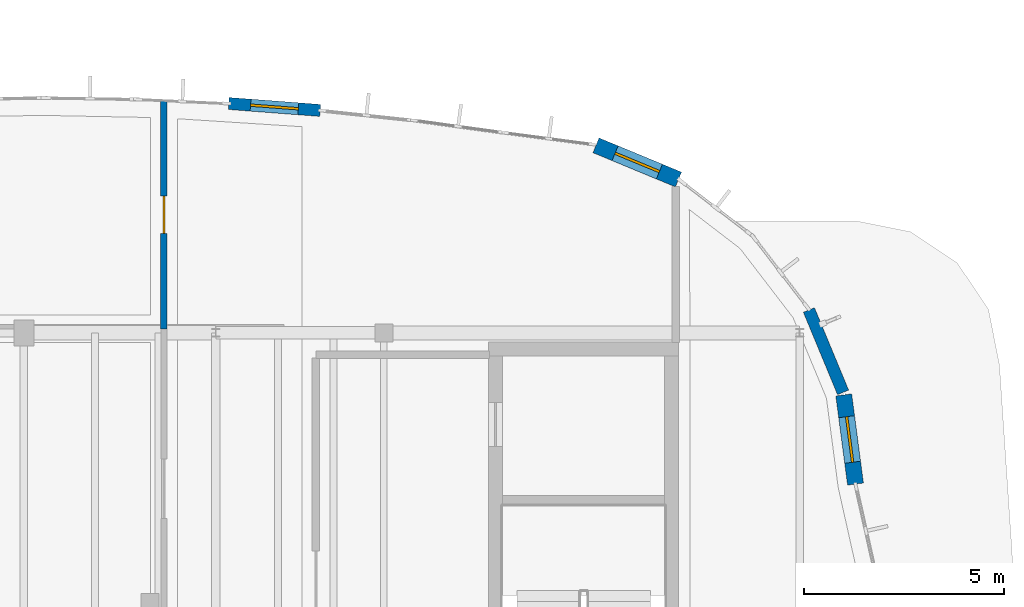
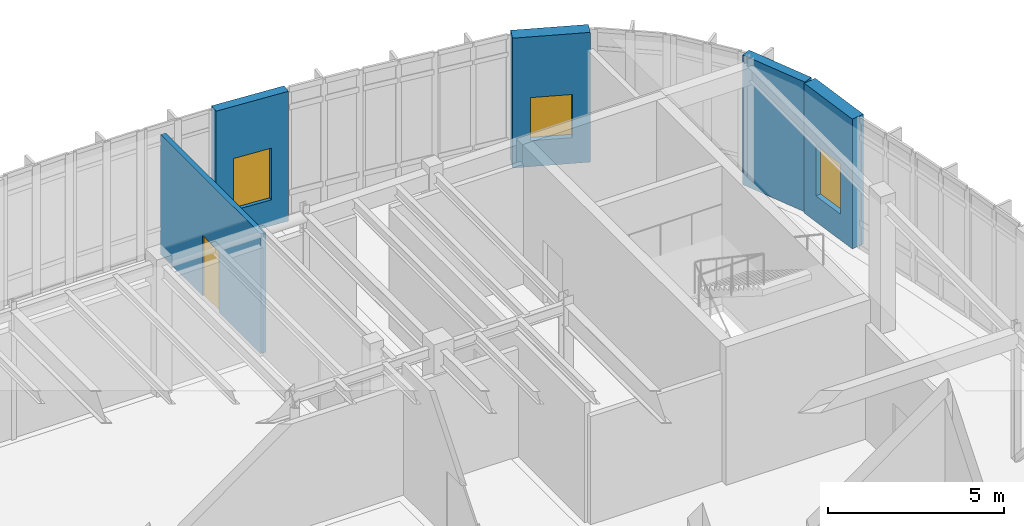
# One storey, part 95 of 120: 5 walls, 3 windows, 1 door, 4 openings.
"""IFC4 building model written with IfcOpenShell, lengths in metres."""

from ifc_helpers import new_model, si_unit, direction, frame, frame_2d, origin, place, context, subcontext, project, spatial, rectangle, extrude, material, layer, layer_set, type_object, element, fill, save


model = new_model("IFC4")

# Units and contexts
model_context = context("Model", 3, precision=1e-05, world=origin(), true_north=direction((0.0, 1.0)))
body_context = subcontext(model_context, "Body", "Model", "MODEL_VIEW")
ifc_project = project(units=[si_unit("LENGTHUNIT", "METRE"), si_unit("AREAUNIT", "SQUARE_METRE"), si_unit("VOLUMEUNIT", "CUBIC_METRE"), si_unit("PLANEANGLEUNIT", "RADIAN"), si_unit("MASSUNIT", "GRAM", prefix="KILO")], contexts=[model_context])

# Site, building, storey
site_placement = place(None, origin())
site = spatial("IfcSite", under=ifc_project, at=site_placement, CompositionType="ELEMENT")
building_placement = place(site_placement, origin())
building = spatial("IfcBuilding", under=site, at=building_placement, Name="Corveleigh Park Community Centre", CompositionType="ELEMENT")
storey_placement = place(building_placement, origin())
storey = spatial("IfcBuildingStorey", under=building, at=storey_placement, Name="L00", CompositionType="ELEMENT", Elevation=0.0)

# Wall
ifc_material_1 = material(Name="Precast concrete C40/50", Category="concrete")
ifc_layer_1 = layer(ifc_material_1, 0.300048828125, Name="Precast concrete C40/50", Category="concrete")
ifc_layer_set_1 = layer_set([ifc_layer_1], Name="Precast concrete C40/50")
wall_type_1 = type_object("IfcWallType", Name="WL-EXT-300", PredefinedType="STANDARD", material=ifc_layer_set_1)
wall_1_placement = place(storey_placement, frame((168.633056640625, 104.77001953125, 0.0), z_axis=(0.0, 0.0, 1.0), x_axis=(0.3830150227, -0.923742113572, 0.0)))
element("IfcWall", 1, at=wall_1_placement, inside=storey, type_object=wall_type_1, Name="V4 L00 Precast Facade Wall", PredefinedType="STANDARD", context=body_context, shape_type="SweptSolid", body=[
    extrude(rectangle(XDim=2.232177734375, YDim=0.300048828125, at=frame_2d((1.1162109375, 0.0))), origin(), (0.0, 0.0, 1.0), 4.511962890625),
])

# Wall, opening, window
wall_2_placement = place(storey_placement, frame((154.1240234375, 109.93408203125, 0.0), z_axis=(0.0, 0.0, 1.0), x_axis=(0.997140376226, -0.075571622314, 0.0)))
wall_2 = element("IfcWall", 2, at=wall_2_placement, inside=storey, type_object=wall_type_1, Name="V4 L00 Precast Facade Wall", PredefinedType="STANDARD", context=body_context, shape_type="SweptSolid", body=[
    extrude(rectangle(XDim=2.29052734375, YDim=0.300048828125, at=frame_2d((1.145263671875, 0.0))), origin(), (0.0, 0.0, 1.0), 4.511962890625),
])
opening_1_placement = place(wall_2_placement, frame((0.544921875, 0.0, 0.89990234375)))
opening_1 = element("IfcOpeningElement", 3, at=opening_1_placement, cuts=wall_2, Name="Opening W06", PredefinedType="OPENING", context=body_context, shape_type="SweptSolid", body=[
    extrude(rectangle(XDim=1.199951171875, YDim=1.800048828125, at=frame_2d((0.60009765625, 0.89990234375))), frame((0.0, 0.159912109375, 0.0), z_axis=(0.0, -1.0, 0.0), x_axis=(1.0, 0.0, 0.0)), (0.0, 0.0, 1.0), 0.320068359375),
])
ifc_material_2 = material(Name="Low-E double glazing", Category="glass")
window_type_1 = type_object("IfcWindowType", Name="WIN-EXT-1200x1800", PartitioningType="SINGLE_PANEL", PredefinedType="WINDOW", material=ifc_material_2)
window_1_placement = place(opening_1_placement, origin())
window_1 = element("IfcWindow", 4, at=window_1_placement, inside=storey, type_object=window_type_1, Name="V4 L00 Window 30", OverallHeight=1.800048828125, OverallWidth=1.199951171875, PartitioningType="SINGLE_PANEL", PredefinedType="WINDOW", context=body_context, shape_type="SweptSolid", body=[
    extrude(rectangle(XDim=1.199951171875, YDim=1.800048828125, at=frame_2d((0.60009765625, 0.89990234375))), frame((0.0, 0.030029296875, 0.0), z_axis=(0.0, -1.0, 0.0), x_axis=(1.0, 0.0, 0.0)), (0.0, 0.0, 1.0), 0.06005859375),
])
fill(opening_1, window_1)

ifc_material_3 = material(Name="Concrete C40/50", Category="concrete")
ifc_layer_2 = layer(ifc_material_3, 0.39990234375, Name="Concrete C40/50", Category="concrete")
ifc_layer_set_2 = layer_set([ifc_layer_2], Name="Concrete C40/50")
wall_type_2 = type_object("IfcWallType", Name="WL-EXT-400", PredefinedType="STANDARD", material=ifc_layer_set_2)
wall_3_placement = place(storey_placement, frame((169.50390625, 102.64599609375, 0.0), z_axis=(0.0, 0.0, 1.0), x_axis=(0.130735158706, -0.99141732801, 0.0)))
wall_3 = element("IfcWall", 5, at=wall_3_placement, inside=storey, type_object=wall_type_2, Name="V4 L00 Precast Facade Wall", PredefinedType="STANDARD", context=body_context, shape_type="SweptSolid", body=[
    extrude(rectangle(XDim=2.250244140625, YDim=0.39990234375, at=frame_2d((1.125, 0.0))), origin(), (0.0, 0.0, 1.0), 4.511962890625),
])
opening_2_placement = place(wall_3_placement, frame((0.550048828125, 0.0, 0.89990234375)))
opening_2 = element("IfcOpeningElement", 6, at=opening_2_placement, cuts=wall_3, Name="Opening W04", PredefinedType="OPENING", context=body_context, shape_type="SweptSolid", body=[
    extrude(rectangle(XDim=1.14990234375, YDim=1.75, at=frame_2d((0.574951171875, 0.875))), frame((0.0, 0.2099609375, 0.0), z_axis=(0.0, -1.0, 0.0), x_axis=(1.0, 0.0, 0.0)), (0.0, 0.0, 1.0), 0.419921875),
])
window_type_2 = type_object("IfcWindowType", Name="WIN-EXT-1150x1750", PartitioningType="SINGLE_PANEL", PredefinedType="WINDOW", material=ifc_material_2)
window_2_placement = place(opening_2_placement, origin())
window_2 = element("IfcWindow", 7, at=window_2_placement, inside=storey, type_object=window_type_2, Name="V4 L00 Window 28", OverallHeight=1.75, OverallWidth=1.14990234375, PartitioningType="SINGLE_PANEL", PredefinedType="WINDOW", context=body_context, shape_type="SweptSolid", body=[
    extrude(rectangle(XDim=1.14990234375, YDim=1.75, at=frame_2d((0.574951171875, 0.875))), frame((0.0, 0.030029296875, 0.0), z_axis=(0.0, -1.0, 0.0), x_axis=(1.0, 0.0, 0.0)), (0.0, 0.0, 1.0), 0.06005859375),
])
fill(opening_2, window_2)

wall_4_placement = place(storey_placement, frame((163.30810546875, 108.887939453125, 0.0), z_axis=(0.0, 0.0, 1.0), x_axis=(0.923742113572, -0.3830150227, 0.0)))
wall_4 = element("IfcWall", 8, at=wall_4_placement, inside=storey, type_object=wall_type_2, Name="V4 L00 Precast Facade Wall", PredefinedType="STANDARD", context=body_context, shape_type="SweptSolid", body=[
    extrude(rectangle(XDim=2.232177734375, YDim=0.39990234375, at=frame_2d((1.1162109375, 0.0))), origin(), (0.0, 0.0, 1.0), 4.511962890625),
])
opening_3_placement = place(wall_4_placement, frame((0.51611328125, 0.0, 0.89990234375)))
opening_3 = element("IfcOpeningElement", 9, at=opening_3_placement, cuts=wall_4, Name="Opening W05", PredefinedType="OPENING", context=body_context, shape_type="SweptSolid", body=[
    extrude(rectangle(XDim=1.199951171875, YDim=1.5, at=frame_2d((0.60009765625, 0.75))), frame((0.0, 0.2099609375, 0.0), z_axis=(0.0, -1.0, 0.0), x_axis=(1.0, 0.0, 0.0)), (0.0, 0.0, 1.0), 0.419921875),
])
window_type_3 = type_object("IfcWindowType", Name="WIN-EXT-1200x1500", PartitioningType="SINGLE_PANEL", PredefinedType="WINDOW", material=ifc_material_2)
window_3_placement = place(opening_3_placement, origin())
window_3 = element("IfcWindow", 10, at=window_3_placement, inside=storey, type_object=window_type_3, Name="V4 L00 Window 29", OverallHeight=1.5, OverallWidth=1.199951171875, PartitioningType="SINGLE_PANEL", PredefinedType="WINDOW", context=body_context, shape_type="SweptSolid", body=[
    extrude(rectangle(XDim=1.199951171875, YDim=1.5, at=frame_2d((0.60009765625, 0.75))), frame((0.0, 0.030029296875, 0.0), z_axis=(0.0, -1.0, 0.0), x_axis=(1.0, 0.0, 0.0)), (0.0, 0.0, 1.0), 0.06005859375),
])
fill(opening_3, window_3)

# Wall, opening, door
ifc_material_4 = material(Name="Gypsum acoustic stud partition", Category="gypsum")
ifc_layer_3 = layer(ifc_material_4, 0.1650390625, Name="Gypsum acoustic stud partition", Category="gypsum")
ifc_layer_set_3 = layer_set([ifc_layer_3], Name="Gypsum acoustic stud partition")
wall_type_3 = type_object("IfcWallType", Name="WL-PRT-165", PredefinedType="PARTITIONING", material=ifc_layer_set_3)
wall_5_placement = place(storey_placement, frame((152.5, 110.009033203125, 0.0), z_axis=(0.0, 0.0, 1.0), x_axis=(0.0, -1.0, 0.0)))
wall_5 = element("IfcWall", 11, at=wall_5_placement, inside=storey, type_object=wall_type_3, Name="Accessible and Public Toilets L00 corridor wall", PredefinedType="PARTITIONING", context=body_context, shape_type="SweptSolid", body=[
    extrude(rectangle(XDim=5.708984375, YDim=0.1650390625, at=frame_2d((2.8544921875, 0.0))), origin(), (0.0, 0.0, 1.0), 4.158935546875),
])
opening_4_placement = place(wall_5_placement, frame((2.385009765625, 0.0, 0.0)))
opening_4 = element("IfcOpeningElement", 12, at=opening_4_placement, cuts=wall_5, Name="Opening FD09", PredefinedType="OPENING", context=body_context, shape_type="SweptSolid", body=[
    extrude(rectangle(XDim=0.93994140625, YDim=2.10009765625, at=frame_2d((0.469970703125, 1.050048828125))), frame((0.0, 0.092529296875, 0.0), z_axis=(0.0, -1.0, 0.0), x_axis=(1.0, 0.0, 0.0)), (0.0, 0.0, 1.0), 0.18505859375),
])
ifc_material_5 = material(Name="Hardwood acoustic door leaf", Category="wood")
door_type = type_object("IfcDoorType", Name="DR-FIR-0940x2100", OperationType="NOTDEFINED", PredefinedType="DOOR", material=ifc_material_5)
door_placement = place(opening_4_placement, origin())
door = element("IfcDoor", 13, at=door_placement, inside=storey, type_object=door_type, Name="Accessible and Public Toilets L00 door", OperationType="SINGLE_SWING_LEFT", OverallHeight=2.10009765625, OverallWidth=0.93994140625, PredefinedType="DOOR", context=body_context, shape_type="SweptSolid", body=[
    extrude(rectangle(XDim=0.93994140625, YDim=2.10009765625, at=frame_2d((0.469970703125, 1.050048828125))), frame((0.0, 0.02490234375, 0.0), z_axis=(0.0, -1.0, 0.0), x_axis=(1.0, 0.0, 0.0)), (0.0, 0.0, 1.0), 0.050048828125),
])
fill(opening_4, door)

save(model, "model.ifc")
